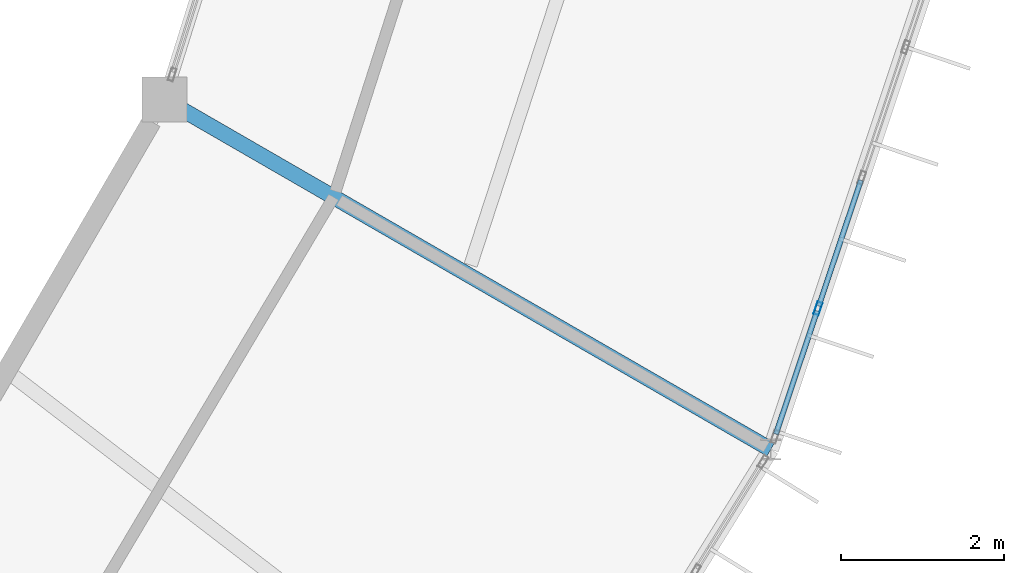
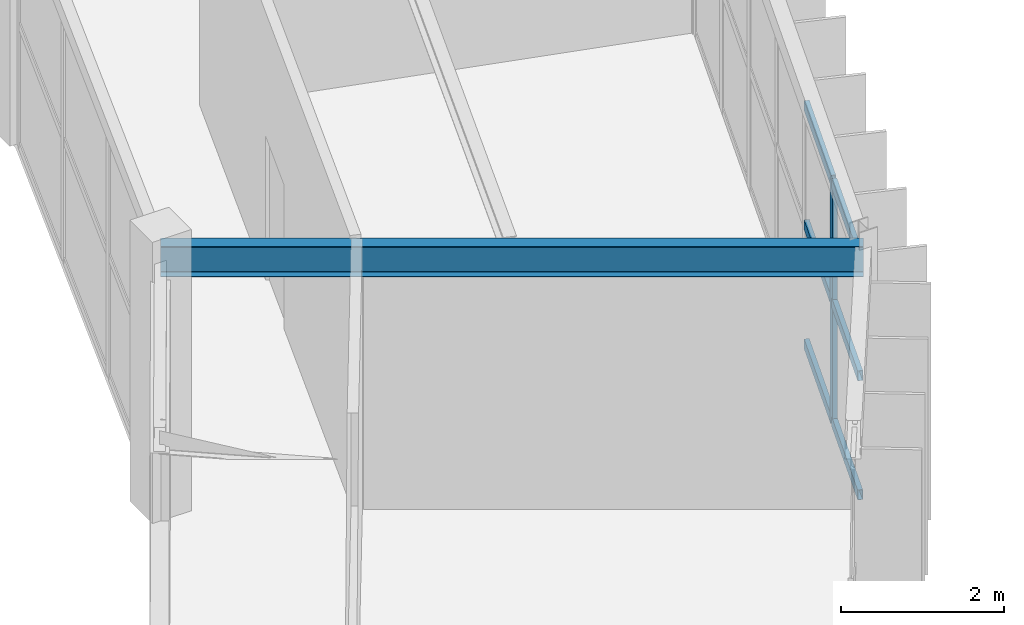
# One storey, part 41 of 106: 7 members, 1 beam, 1 element without a shape of its own.
"""IFC4 building model written with IfcOpenShell, lengths in metres."""

import ifcopenshell
import ifcopenshell.guid

model = None  # the IFC model being written
_history = None  # IfcOwnerHistory: only IFC2X3 demands one
_inside = {}  # id of a spatial element -> (the spatial element, [elements in it])
_under = {}  # id of a project, library or spatial element -> (it, [spatial elements below it])
_declared = {}  # id of a project -> (the project, [libraries it declares])
_typed = {}  # id of a type object -> (the type object, [elements of that type])
_made_of = {}  # id of a material, layer set ... -> (it, [elements and type objects made of it])


def new_model(schema):
    """Start an empty IFC model of exactly this schema.

    Asked for "IFC4X3", IfcOpenShell would pick the latest addendum, in which some entities
    have other attributes; the version numbers below select the first issue.
    IFC2X3 requires an IfcOwnerHistory on every rooted entity: one is made here for all.
    """
    global model, _history
    if schema == "IFC4X3":
        model = ifcopenshell.file(schema_version=(4, 3, 0, 0))
    else:
        model = ifcopenshell.file(schema=schema)
    _inside.clear()
    _under.clear()
    _declared.clear()
    _typed.clear()
    _made_of.clear()
    _history = None
    if model.schema == "IFC2X3":
        org = make("IfcOrganization", Name="unknown")
        user = make(
            "IfcPersonAndOrganization",
            ThePerson=make("IfcPerson", FamilyName="unknown"),
            TheOrganization=org,
        )
        app = make(
            "IfcApplication",
            ApplicationDeveloper=org,
            Version="unknown",
            ApplicationFullName="unknown",
            ApplicationIdentifier="unknown",
        )
        _history = make(
            "IfcOwnerHistory",
            OwningUser=user,
            OwningApplication=app,
            ChangeAction="ADDED",
            CreationDate=0,
        )
    return model


def make(cls, **values):
    """One entity of the class cls with the attributes given. An attribute that is None is left unset."""
    return model.create_entity(
        cls, **{name: value for name, value in values.items() if value is not None}
    )


def rooted(cls, **values):
    """An entity with a GlobalId (a new one), such as an element, a storey or a relation."""
    return make(cls, GlobalId=ifcopenshell.guid.new(), OwnerHistory=_history, **values)


def si_unit(unit_type, name, prefix=None):
    """IfcSIUnit, for example si_unit("LENGTHUNIT", "METRE", prefix="MILLI")."""
    return make("IfcSIUnit", UnitType=unit_type, Prefix=prefix, Name=name)


def assignment(units):
    """IfcUnitAssignment: the units of a project."""
    return None if units is None else make("IfcUnitAssignment", Units=units)


def point(xyz):
    """IfcCartesianPoint."""
    return None if xyz is None else make("IfcCartesianPoint", Coordinates=xyz)


def direction(xyz):
    """IfcDirection."""
    return None if xyz is None else make("IfcDirection", DirectionRatios=xyz)


def frame(location, z_axis=None, x_axis=None):
    """IfcAxis2Placement3D, a coordinate frame: its origin and axes. An axis left out is left unset."""
    return make(
        "IfcAxis2Placement3D",
        Location=point(location),
        Axis=direction(z_axis),
        RefDirection=direction(x_axis),
    )


def frame_2d(location, x_axis=None):
    """IfcAxis2Placement2D, a coordinate frame in the plane: its origin and x axis."""
    return make(
        "IfcAxis2Placement2D", Location=point(location), RefDirection=direction(x_axis)
    )


def origin():
    """The frame at (0, 0, 0) with its axes left unset."""
    return frame((0.0, 0.0, 0.0))


def origin_2d():
    """The frame at (0, 0) in the plane with its x axis left unset."""
    return frame_2d((0.0, 0.0))


def place(relative_to, where):
    """IfcLocalPlacement: puts the frame where relative to a parent placement (None: the world)."""
    return make(
        "IfcLocalPlacement", PlacementRelTo=relative_to, RelativePlacement=where
    )


def context(
    kind, dimensions, precision=None, world=None, true_north=None, identifier=None
):
    """IfcGeometricRepresentationContext, for example the 3D "Model" context."""
    return make(
        "IfcGeometricRepresentationContext",
        ContextIdentifier=identifier,
        ContextType=kind,
        CoordinateSpaceDimension=dimensions,
        Precision=precision,
        WorldCoordinateSystem=world,
        TrueNorth=true_north,
    )


def subcontext(parent, identifier, kind, view, scale=None):
    """IfcGeometricRepresentationSubContext, for example "Body" below "Model"."""
    return make(
        "IfcGeometricRepresentationSubContext",
        ContextIdentifier=identifier,
        ContextType=kind,
        ParentContext=parent,
        TargetScale=scale,
        TargetView=view,
    )


def project(units=None, contexts=None):
    """IfcProject with its units and contexts."""
    return rooted(
        "IfcProject",
        Name="project",
        RepresentationContexts=contexts,
        UnitsInContext=assignment(units),
    )


def spatial(cls, under=None, at=None, **own):
    """A site, building, storey or space (cls), placed at a placement, below another one or the project."""
    s = rooted(cls, ObjectPlacement=at, **own)
    if under is not None:
        _under.setdefault(under.id(), (under, []))[1].append(s)
    return s


def profile(cls, at=None, kind="AREA", **sizes):
    """A parametric profile (cls). Its sizes go by their IFC names, for example OverallWidth=200.0."""
    return make(cls, ProfileType=kind, Position=at, **sizes)


def hollow_rectangle(**sizes):
    """IfcRectangleHollowProfileDef."""
    return profile("IfcRectangleHollowProfileDef", **sizes)


def i_section(**sizes):
    """IfcIShapeProfileDef."""
    return profile("IfcIShapeProfileDef", **sizes)


def extrude(swept, where, along, depth):
    """IfcExtrudedAreaSolid: the profile swept, set in the frame where, extruded along a direction by depth."""
    return make(
        "IfcExtrudedAreaSolid",
        SweptArea=swept,
        Position=where,
        ExtrudedDirection=direction(along),
        Depth=depth,
    )


def shape(context_of_items, identifier, shape_type, items):
    """IfcShapeRepresentation: the items that make up one representation, for example the "Body"."""
    return make(
        "IfcShapeRepresentation",
        ContextOfItems=context_of_items,
        RepresentationIdentifier=identifier,
        RepresentationType=shape_type,
        Items=items,
    )


def material(Name=None, Category=None):
    """IfcMaterial."""
    return make("IfcMaterial", Name=Name, Category=Category)


def material_profile(
    of_material, cross_section, Name=None, Category=None, Priority=None
):
    """IfcMaterialProfile: a cross section and its material."""
    return make(
        "IfcMaterialProfile",
        Name=Name,
        Material=of_material,
        Profile=cross_section,
        Priority=Priority,
        Category=Category,
    )


def profile_set(profiles, Name=None, composite=None):
    """IfcMaterialProfileSet."""
    return make(
        "IfcMaterialProfileSet",
        Name=Name,
        MaterialProfiles=profiles,
        CompositeProfile=composite,
    )


def made_of(thing, what):
    """Note that an element or type object is made of a material, layer set ...; save() writes the relation."""
    if what is not None:
        _made_of.setdefault(what.id(), (what, []))[1].append(thing)
    return thing


def type_object(cls, material=None, **own):
    """A type object (cls), such as IfcWallType, which elements share."""
    return made_of(rooted(cls, **own), material)


def element(
    cls,
    number,
    at=None,
    inside=None,
    cuts=None,
    type_object=None,
    material=None,
    context=None,
    identifier="Body",
    shape_type=None,
    held_by="IfcProductDefinitionShape",
    body=None,
    shapes=None,
    **own,
):
    """One element of the class cls, such as IfcWall. Its Tag is "e" and its number.

    at: its placement. inside: the storey or other place that contains it. cuts: it is an
    opening in that element (IfcRelVoidsElement). A single representation is given by context,
    identifier, shape_type and body (its items); several are given by shapes. held_by: the class
    of the entity that holds the representations. save() writes the other relations.
    """
    e = rooted(cls, Tag="e%d" % number, ObjectPlacement=at, **own)
    if body is not None:
        shapes = [shape(context, identifier, shape_type, body)]
    if shapes is not None:
        e.Representation = make(held_by, Representations=shapes)
    if inside is not None:
        _inside.setdefault(inside.id(), (inside, []))[1].append(e)
    if cuts is not None:
        rooted(
            "IfcRelVoidsElement", RelatingBuildingElement=cuts, RelatedOpeningElement=e
        )
    if type_object is not None:
        _typed.setdefault(type_object.id(), (type_object, []))[1].append(e)
    return made_of(e, material)


def aggregate(whole, parts):
    """IfcRelAggregates: a whole, such as a stair, and the parts it consists of."""
    return rooted("IfcRelAggregates", RelatingObject=whole, RelatedObjects=parts)


def save(model, path):
    """Write the relations noted so far, then the file.

    IfcRelAggregates (storeys below a building ...), IfcRelContainedInSpatialStructure (elements
    in a storey), IfcRelDefinesByType, IfcRelAssociatesMaterial and IfcRelDeclares: one each for
    every whole, place, type object, material and project.
    """
    for whole, parts in _under.values():
        aggregate(whole, parts)
    for where, things in _inside.values():
        rooted(
            "IfcRelContainedInSpatialStructure",
            RelatedElements=things,
            RelatingStructure=where,
        )
    for kind, things in _typed.values():
        rooted("IfcRelDefinesByType", RelatedObjects=things, RelatingType=kind)
    for what, things in _made_of.values():
        rooted("IfcRelAssociatesMaterial", RelatedObjects=things, RelatingMaterial=what)
    for by, libraries in _declared.values():
        rooted("IfcRelDeclares", RelatingContext=by, RelatedDefinitions=libraries)
    model.write(path)


model = new_model("IFC4")

# Units and contexts
model_context = context("Model", 3, precision=1e-05, world=origin(), true_north=direction((0.0, 1.0)))
body_context = subcontext(model_context, "Body", "Model", "MODEL_VIEW")
ifc_project = project(units=[si_unit("LENGTHUNIT", "METRE"), si_unit("AREAUNIT", "SQUARE_METRE"), si_unit("VOLUMEUNIT", "CUBIC_METRE"), si_unit("PLANEANGLEUNIT", "RADIAN"), si_unit("MASSUNIT", "GRAM", prefix="KILO")], contexts=[model_context])

# Site, building, storey
site_placement = place(None, origin())
site = spatial("IfcSite", under=ifc_project, at=site_placement, CompositionType="ELEMENT")
building_placement = place(site_placement, origin())
building = spatial("IfcBuilding", under=site, at=building_placement, Name="Karori Crest Natural Sciences Institute", CompositionType="ELEMENT")
storey_placement = place(building_placement, frame((0.0, 0.0, 25.89990234375)))
storey = spatial("IfcBuildingStorey", under=building, at=storey_placement, Name="L06", CompositionType="ELEMENT", Elevation=25.89990234375)

# Beam
ifc_material_1 = material(Name="Structural steel AS/NZS 3679.1 Grade 350", Category="steel")
ifc_material_profile_1 = material_profile(ifc_material_1, i_section(OverallWidth=0.18994140625, OverallDepth=0.4541015625, WebThickness=0.008544921875, FlangeThickness=0.0126953125, FilletRadius=0.010986328125, at=origin_2d()), Name="460UB67.1")
ifc_profile_set_1 = profile_set([ifc_material_profile_1], Name="Structural steel AS/NZS 3679.1 Grade 350")
beam_type = type_object("IfcBeamType", Name="BT-28", PredefinedType="BEAM", material=ifc_profile_set_1)
beam_placement = place(storey_placement, frame((87.531005859375, 33.800048828125, 3.713134765625), z_axis=(0.866021068297, -0.500007509209, 0.0), x_axis=(0.500007509209, 0.866021068297, 0.0)))
element("IfcBeam", 1, at=beam_placement, inside=storey, type_object=beam_type, Name="Beam B-0639", PredefinedType="BEAM", context=body_context, shape_type="SweptSolid", body=[
    extrude(i_section(OverallWidth=0.18994140625, OverallDepth=0.4541015625, WebThickness=0.008544921875, FlangeThickness=0.0126953125, FilletRadius=0.010986328125, at=origin_2d()), origin(), (0.0, 0.0, 1.0), 8.599853515625),
])

# Curtain wall, members
ifc_material_2 = material(Name="Anodised architectural aluminium 6063-T6", Category="aluminium")
curtain_wall_type = type_object("IfcCurtainWallType", Name="CWT-03", PredefinedType="NOTDEFINED", material=ifc_material_2)
curtain_wall_placement = place(storey_placement, origin())
curtain_wall = element("IfcCurtainWall", 2, at=curtain_wall_placement, inside=storey, type_object=curtain_wall_type, Name="Curtain wall CW-0217", PredefinedType="NOTDEFINED")
ifc_material_profile_2 = material_profile(ifc_material_2, hollow_rectangle(XDim=0.06494140625, YDim=0.159912109375, WallThickness=0.00390625, at=origin_2d()), Name="CWM160x65x4")
ifc_profile_set_2 = profile_set([ifc_material_profile_2], Name="Anodised architectural aluminium 6063-T6")
member_type_1 = type_object("IfcMemberType", Name="CWM-01", PredefinedType="MULLION", material=ifc_profile_set_2)
member_1_placement = place(storey_placement, frame((95.558837890625, 31.231201171875, 0.0), z_axis=(0.0, 0.0, 1.0), x_axis=(0.94819805026, -0.317679803392, 0.0)))
member_1 = element("IfcMember", 3, at=member_1_placement, type_object=member_type_1, Name="CW-0217 mullion 6", PredefinedType="MULLION", context=body_context, shape_type="SweptSolid", body=[
    extrude(hollow_rectangle(XDim=0.06494140625, YDim=0.159912109375, WallThickness=0.00390625, at=origin_2d()), origin(), (0.0, 0.0, 1.0), 3.625),
])
ifc_material_profile_3 = material_profile(ifc_material_2, hollow_rectangle(XDim=0.06494140625, YDim=0.14990234375, WallThickness=0.00390625, at=origin_2d()), Name="CWT150x65x4")
ifc_profile_set_3 = profile_set([ifc_material_profile_3], Name="Anodised architectural aluminium 6063-T6")
member_type_2 = type_object("IfcMemberType", Name="CWT-TR2", PredefinedType="USERDEFINED", material=ifc_profile_set_3)
member_2_placement = place(storey_placement, frame((96.08642578125, 32.806396484375, 0.03271484375), z_axis=(-0.317621421426, -0.948217608279, 0.0), x_axis=(0.948217608279, -0.317621421426, 0.0)))
member_2 = element("IfcMember", 4, at=member_2_placement, type_object=member_type_2, Name="CW-0217 transom 5.1", ObjectType="TRANSOM", PredefinedType="USERDEFINED", context=body_context, shape_type="SweptSolid", body=[
    extrude(hollow_rectangle(XDim=0.06494140625, YDim=0.14990234375, WallThickness=0.00390625, at=origin_2d()), origin(), (0.0, 0.0, 1.0), 1.628662109375),
])
member_3_placement = place(storey_placement, frame((96.08642578125, 32.806396484375, 1.8125), z_axis=(-0.317621421426, -0.948217608279, 0.0), x_axis=(0.948217608279, -0.317621421426, 0.0)))
member_3 = element("IfcMember", 5, at=member_3_placement, type_object=member_type_2, Name="CW-0217 transom 5.2", ObjectType="TRANSOM", PredefinedType="USERDEFINED", context=body_context, shape_type="SweptSolid", body=[
    extrude(hollow_rectangle(XDim=0.06494140625, YDim=0.14990234375, WallThickness=0.00390625, at=origin_2d()), origin(), (0.0, 0.0, 1.0), 1.628662109375),
])
member_4_placement = place(storey_placement, frame((96.08642578125, 32.806396484375, 3.592529296875), z_axis=(-0.317621421426, -0.948217608279, 0.0), x_axis=(0.948217608279, -0.317621421426, 0.0)))
member_4 = element("IfcMember", 6, at=member_4_placement, type_object=member_type_2, Name="CW-0217 transom 5.3", ObjectType="TRANSOM", PredefinedType="USERDEFINED", context=body_context, shape_type="SweptSolid", body=[
    extrude(hollow_rectangle(XDim=0.06494140625, YDim=0.14990234375, WallThickness=0.00390625, at=origin_2d()), origin(), (0.0, 0.0, 1.0), 1.628662109375),
])
member_5_placement = place(storey_placement, frame((95.54833984375, 31.2001953125, 0.03271484375), z_axis=(-0.317695793379, -0.9481926929, 0.0), x_axis=(0.9481926929, -0.317695793379, 0.0)))
member_5 = element("IfcMember", 7, at=member_5_placement, type_object=member_type_2, Name="CW-0217 transom 6.1", ObjectType="TRANSOM", PredefinedType="USERDEFINED", context=body_context, shape_type="SweptSolid", body=[
    extrude(hollow_rectangle(XDim=0.06494140625, YDim=0.14990234375, WallThickness=0.00390625, at=origin_2d()), origin(), (0.0, 0.0, 1.0), 1.59619140625),
])
member_6_placement = place(storey_placement, frame((95.54833984375, 31.2001953125, 1.8125), z_axis=(-0.317695793379, -0.9481926929, 0.0), x_axis=(0.9481926929, -0.317695793379, 0.0)))
member_6 = element("IfcMember", 8, at=member_6_placement, type_object=member_type_2, Name="CW-0217 transom 6.2", ObjectType="TRANSOM", PredefinedType="USERDEFINED", context=body_context, shape_type="SweptSolid", body=[
    extrude(hollow_rectangle(XDim=0.06494140625, YDim=0.14990234375, WallThickness=0.00390625, at=origin_2d()), origin(), (0.0, 0.0, 1.0), 1.59619140625),
])
member_7_placement = place(storey_placement, frame((95.54833984375, 31.2001953125, 3.592529296875), z_axis=(-0.317695793379, -0.9481926929, 0.0), x_axis=(0.9481926929, -0.317695793379, 0.0)))
member_7 = element("IfcMember", 9, at=member_7_placement, type_object=member_type_2, Name="CW-0217 transom 6.3", ObjectType="TRANSOM", PredefinedType="USERDEFINED", context=body_context, shape_type="SweptSolid", body=[
    extrude(hollow_rectangle(XDim=0.06494140625, YDim=0.14990234375, WallThickness=0.00390625, at=origin_2d()), origin(), (0.0, 0.0, 1.0), 1.59619140625),
])
aggregate(curtain_wall, [member_1, member_2, member_3, member_4, member_5, member_6, member_7])

save(model, "model.ifc")
